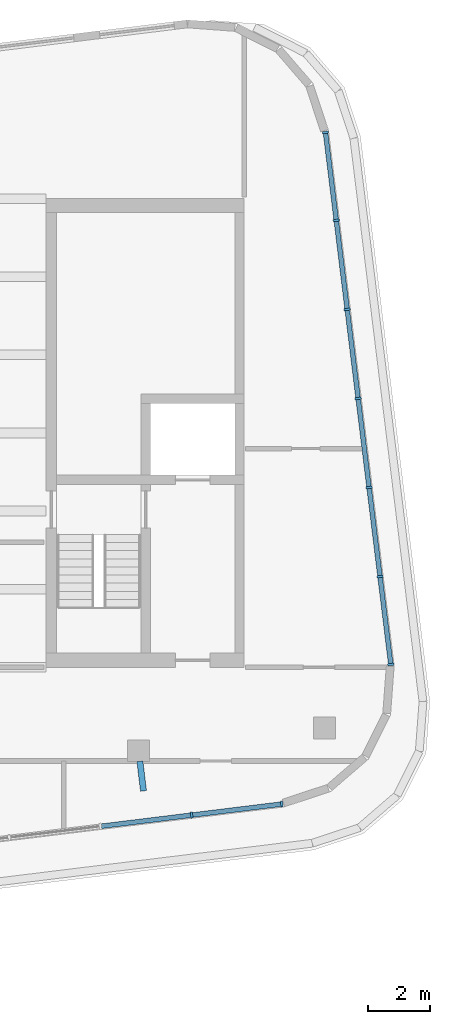
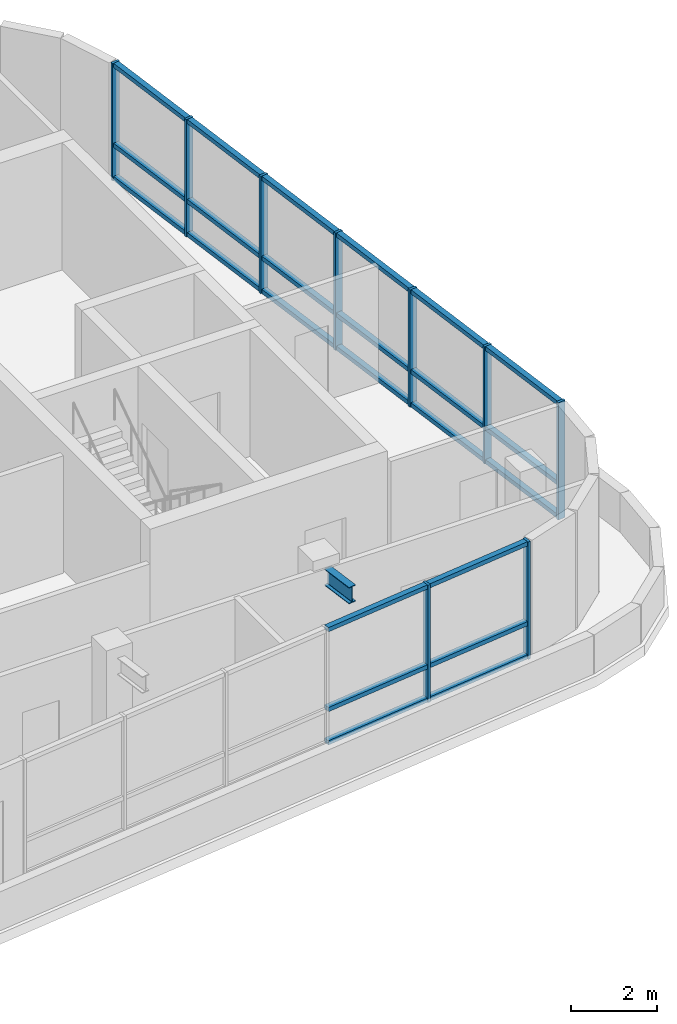
# One storey, part 3 of 8: 33 members, 1 beam, 2 elements without a shape of their own.
"""IFC4 building model written with IfcOpenShell, lengths in metres."""

import ifcopenshell
import ifcopenshell.guid

model = None  # the IFC model being written
_history = None  # IfcOwnerHistory: only IFC2X3 demands one
_inside = {}  # id of a spatial element -> (the spatial element, [elements in it])
_under = {}  # id of a project, library or spatial element -> (it, [spatial elements below it])
_declared = {}  # id of a project -> (the project, [libraries it declares])
_typed = {}  # id of a type object -> (the type object, [elements of that type])
_made_of = {}  # id of a material, layer set ... -> (it, [elements and type objects made of it])


def new_model(schema):
    """Start an empty IFC model of exactly this schema.

    Asked for "IFC4X3", IfcOpenShell would pick the latest addendum, in which some entities
    have other attributes; the version numbers below select the first issue.
    IFC2X3 requires an IfcOwnerHistory on every rooted entity: one is made here for all.
    """
    global model, _history
    if schema == "IFC4X3":
        model = ifcopenshell.file(schema_version=(4, 3, 0, 0))
    else:
        model = ifcopenshell.file(schema=schema)
    _inside.clear()
    _under.clear()
    _declared.clear()
    _typed.clear()
    _made_of.clear()
    _history = None
    if model.schema == "IFC2X3":
        org = make("IfcOrganization", Name="unknown")
        user = make(
            "IfcPersonAndOrganization",
            ThePerson=make("IfcPerson", FamilyName="unknown"),
            TheOrganization=org,
        )
        app = make(
            "IfcApplication",
            ApplicationDeveloper=org,
            Version="unknown",
            ApplicationFullName="unknown",
            ApplicationIdentifier="unknown",
        )
        _history = make(
            "IfcOwnerHistory",
            OwningUser=user,
            OwningApplication=app,
            ChangeAction="ADDED",
            CreationDate=0,
        )
    return model


def make(cls, **values):
    """One entity of the class cls with the attributes given. An attribute that is None is left unset."""
    return model.create_entity(
        cls, **{name: value for name, value in values.items() if value is not None}
    )


def rooted(cls, **values):
    """An entity with a GlobalId (a new one), such as an element, a storey or a relation."""
    return make(cls, GlobalId=ifcopenshell.guid.new(), OwnerHistory=_history, **values)


def si_unit(unit_type, name, prefix=None):
    """IfcSIUnit, for example si_unit("LENGTHUNIT", "METRE", prefix="MILLI")."""
    return make("IfcSIUnit", UnitType=unit_type, Prefix=prefix, Name=name)


def assignment(units):
    """IfcUnitAssignment: the units of a project."""
    return None if units is None else make("IfcUnitAssignment", Units=units)


def point(xyz):
    """IfcCartesianPoint."""
    return None if xyz is None else make("IfcCartesianPoint", Coordinates=xyz)


def direction(xyz):
    """IfcDirection."""
    return None if xyz is None else make("IfcDirection", DirectionRatios=xyz)


def frame(location, z_axis=None, x_axis=None):
    """IfcAxis2Placement3D, a coordinate frame: its origin and axes. An axis left out is left unset."""
    return make(
        "IfcAxis2Placement3D",
        Location=point(location),
        Axis=direction(z_axis),
        RefDirection=direction(x_axis),
    )


def frame_2d(location, x_axis=None):
    """IfcAxis2Placement2D, a coordinate frame in the plane: its origin and x axis."""
    return make(
        "IfcAxis2Placement2D", Location=point(location), RefDirection=direction(x_axis)
    )


def origin():
    """The frame at (0, 0, 0) with its axes left unset."""
    return frame((0.0, 0.0, 0.0))


def origin_2d():
    """The frame at (0, 0) in the plane with its x axis left unset."""
    return frame_2d((0.0, 0.0))


def place(relative_to, where):
    """IfcLocalPlacement: puts the frame where relative to a parent placement (None: the world)."""
    return make(
        "IfcLocalPlacement", PlacementRelTo=relative_to, RelativePlacement=where
    )


def context(
    kind, dimensions, precision=None, world=None, true_north=None, identifier=None
):
    """IfcGeometricRepresentationContext, for example the 3D "Model" context."""
    return make(
        "IfcGeometricRepresentationContext",
        ContextIdentifier=identifier,
        ContextType=kind,
        CoordinateSpaceDimension=dimensions,
        Precision=precision,
        WorldCoordinateSystem=world,
        TrueNorth=true_north,
    )


def subcontext(parent, identifier, kind, view, scale=None):
    """IfcGeometricRepresentationSubContext, for example "Body" below "Model"."""
    return make(
        "IfcGeometricRepresentationSubContext",
        ContextIdentifier=identifier,
        ContextType=kind,
        ParentContext=parent,
        TargetScale=scale,
        TargetView=view,
    )


def project(units=None, contexts=None):
    """IfcProject with its units and contexts."""
    return rooted(
        "IfcProject",
        Name="project",
        RepresentationContexts=contexts,
        UnitsInContext=assignment(units),
    )


def spatial(cls, under=None, at=None, **own):
    """A site, building, storey or space (cls), placed at a placement, below another one or the project."""
    s = rooted(cls, ObjectPlacement=at, **own)
    if under is not None:
        _under.setdefault(under.id(), (under, []))[1].append(s)
    return s


def profile(cls, at=None, kind="AREA", **sizes):
    """A parametric profile (cls). Its sizes go by their IFC names, for example OverallWidth=200.0."""
    return make(cls, ProfileType=kind, Position=at, **sizes)


def rectangle(**sizes):
    """IfcRectangleProfileDef."""
    return profile("IfcRectangleProfileDef", **sizes)


def i_section(**sizes):
    """IfcIShapeProfileDef."""
    return profile("IfcIShapeProfileDef", **sizes)


def extrude(swept, where, along, depth):
    """IfcExtrudedAreaSolid: the profile swept, set in the frame where, extruded along a direction by depth."""
    return make(
        "IfcExtrudedAreaSolid",
        SweptArea=swept,
        Position=where,
        ExtrudedDirection=direction(along),
        Depth=depth,
    )


def shape(context_of_items, identifier, shape_type, items):
    """IfcShapeRepresentation: the items that make up one representation, for example the "Body"."""
    return make(
        "IfcShapeRepresentation",
        ContextOfItems=context_of_items,
        RepresentationIdentifier=identifier,
        RepresentationType=shape_type,
        Items=items,
    )


def material(Name=None, Category=None):
    """IfcMaterial."""
    return make("IfcMaterial", Name=Name, Category=Category)


def layer(
    of_material, thickness, ventilated=None, Name=None, Category=None, Priority=None
):
    """IfcMaterialLayer: one layer of a wall or slab, of a material (None: an air gap)."""
    return make(
        "IfcMaterialLayer",
        Material=of_material,
        LayerThickness=thickness,
        IsVentilated=ventilated,
        Name=Name,
        Category=Category,
        Priority=Priority,
    )


def layer_set(layers, Name=None):
    """IfcMaterialLayerSet."""
    return make("IfcMaterialLayerSet", MaterialLayers=layers, LayerSetName=Name)


def material_profile(
    of_material, cross_section, Name=None, Category=None, Priority=None
):
    """IfcMaterialProfile: a cross section and its material."""
    return make(
        "IfcMaterialProfile",
        Name=Name,
        Material=of_material,
        Profile=cross_section,
        Priority=Priority,
        Category=Category,
    )


def profile_set(profiles, Name=None, composite=None):
    """IfcMaterialProfileSet."""
    return make(
        "IfcMaterialProfileSet",
        Name=Name,
        MaterialProfiles=profiles,
        CompositeProfile=composite,
    )


def made_of(thing, what):
    """Note that an element or type object is made of a material, layer set ...; save() writes the relation."""
    if what is not None:
        _made_of.setdefault(what.id(), (what, []))[1].append(thing)
    return thing


def type_object(cls, material=None, **own):
    """A type object (cls), such as IfcWallType, which elements share."""
    return made_of(rooted(cls, **own), material)


def element(
    cls,
    number,
    at=None,
    inside=None,
    cuts=None,
    type_object=None,
    material=None,
    context=None,
    identifier="Body",
    shape_type=None,
    held_by="IfcProductDefinitionShape",
    body=None,
    shapes=None,
    **own,
):
    """One element of the class cls, such as IfcWall. Its Tag is "e" and its number.

    at: its placement. inside: the storey or other place that contains it. cuts: it is an
    opening in that element (IfcRelVoidsElement). A single representation is given by context,
    identifier, shape_type and body (its items); several are given by shapes. held_by: the class
    of the entity that holds the representations. save() writes the other relations.
    """
    e = rooted(cls, Tag="e%d" % number, ObjectPlacement=at, **own)
    if body is not None:
        shapes = [shape(context, identifier, shape_type, body)]
    if shapes is not None:
        e.Representation = make(held_by, Representations=shapes)
    if inside is not None:
        _inside.setdefault(inside.id(), (inside, []))[1].append(e)
    if cuts is not None:
        rooted(
            "IfcRelVoidsElement", RelatingBuildingElement=cuts, RelatedOpeningElement=e
        )
    if type_object is not None:
        _typed.setdefault(type_object.id(), (type_object, []))[1].append(e)
    return made_of(e, material)


def aggregate(whole, parts):
    """IfcRelAggregates: a whole, such as a stair, and the parts it consists of."""
    return rooted("IfcRelAggregates", RelatingObject=whole, RelatedObjects=parts)


def save(model, path):
    """Write the relations noted so far, then the file.

    IfcRelAggregates (storeys below a building ...), IfcRelContainedInSpatialStructure (elements
    in a storey), IfcRelDefinesByType, IfcRelAssociatesMaterial and IfcRelDeclares: one each for
    every whole, place, type object, material and project.
    """
    for whole, parts in _under.values():
        aggregate(whole, parts)
    for where, things in _inside.values():
        rooted(
            "IfcRelContainedInSpatialStructure",
            RelatedElements=things,
            RelatingStructure=where,
        )
    for kind, things in _typed.values():
        rooted("IfcRelDefinesByType", RelatedObjects=things, RelatingType=kind)
    for what, things in _made_of.values():
        rooted("IfcRelAssociatesMaterial", RelatedObjects=things, RelatingMaterial=what)
    for by, libraries in _declared.values():
        rooted("IfcRelDeclares", RelatingContext=by, RelatedDefinitions=libraries)
    model.write(path)


model = new_model("IFC4")

# Units and contexts
model_context = context("Model", 3, precision=1e-05, world=origin(), true_north=direction((0.0, 1.0)))
body_context = subcontext(model_context, "Body", "Model", "MODEL_VIEW")
ifc_project = project(units=[si_unit("LENGTHUNIT", "METRE"), si_unit("AREAUNIT", "SQUARE_METRE"), si_unit("VOLUMEUNIT", "CUBIC_METRE"), si_unit("PLANEANGLEUNIT", "RADIAN"), si_unit("MASSUNIT", "GRAM", prefix="KILO")], contexts=[model_context])

# Site, building, storey
site_placement = place(None, origin())
site = spatial("IfcSite", under=ifc_project, at=site_placement, CompositionType="ELEMENT")
building_placement = place(site_placement, origin())
building = spatial("IfcBuilding", under=site, at=building_placement, Name="Torana Hotel and Residences", CompositionType="ELEMENT")
storey_placement = place(building_placement, frame((0.0, 0.0, 350.199951171875)))
storey = spatial("IfcBuildingStorey", under=building, at=storey_placement, Name="C2", CompositionType="ELEMENT", Elevation=350.199951171875)

# Beam
ifc_material_1 = material(Name="Steel S355", Category="steel")
ifc_material_profile_1 = material_profile(ifc_material_1, i_section(OverallWidth=0.19287109375, OverallDepth=0.46728515625, WebThickness=0.011474609375, FlangeThickness=0.01953125, FilletRadius=0.01025390625, at=origin_2d()), Name="457x191x98 UB")
ifc_profile_set_1 = profile_set([ifc_material_profile_1], Name="Steel S355")
beam_type = type_object("IfcBeamType", Name="BALCONY CANTILEVER BEAM 457x191x98 UB", PredefinedType="BEAM", material=ifc_profile_set_1)
beam_placement = place(storey_placement, frame((13.0126953125, -18.01318359375, 3.06640625), z_axis=(0.121984313322, -0.992532028351, 0.0), x_axis=(0.992532028351, 0.121984313322, 0.0)))
element("IfcBeam", 1, at=beam_placement, inside=storey, type_object=beam_type, Name="Balcony cantilever beam", PredefinedType="BEAM", context=body_context, shape_type="SweptSolid", body=[
    extrude(i_section(OverallWidth=0.19287109375, OverallDepth=0.46728515625, WebThickness=0.011474609375, FlangeThickness=0.01953125, FilletRadius=0.01025390625, at=origin_2d()), origin(), (0.0, 0.0, 1.0), 0.95263671875),
])

# Curtain wall, members
ifc_material_2 = material(Name="Dark anodised aluminium", Category="aluminium")
ifc_layer = layer(ifc_material_2, 0.199951171875)
ifc_layer_set = layer_set([ifc_layer], Name="CW4 CROWN TERRACE GLAZING CURTAIN WALL")
curtain_wall_type = type_object("IfcCurtainWallType", Name="CW4 CROWN TERRACE GLAZING CURTAIN WALL", PredefinedType="NOTDEFINED", material=ifc_layer_set)
curtain_wall_1_placement = place(storey_placement, origin())
curtain_wall_1 = element("IfcCurtainWall", 2, at=curtain_wall_1_placement, inside=storey, type_object=curtain_wall_type, Name="Curtain wall CW4 C2 e0.14-2", PredefinedType="NOTDEFINED")
ifc_material_3 = material(Name="Dark anodised aluminium", Category="aluminium")
ifc_material_profile_2 = material_profile(ifc_material_3, rectangle(XDim=0.199951171875, YDim=0.070068359375, at=origin_2d()), Name="CW4 MULLION 70x200")
ifc_profile_set_2 = profile_set([ifc_material_profile_2], Name="Dark anodised aluminium")
member_type_1 = type_object("IfcMemberType", Name="CW4 MULLION 70x200", PredefinedType="MULLION", material=ifc_profile_set_2)
member_1_placement = place(storey_placement, frame((14.670166015625, -19.7333984375, 0.0), z_axis=(0.0, 0.0, 1.0), x_axis=(-0.12187002807, 0.992546067575, 0.0)))
member_1 = element("IfcMember", 3, at=member_1_placement, type_object=member_type_1, Name="CW4 mullion 5", PredefinedType="MULLION", context=body_context, shape_type="SweptSolid", body=[
    extrude(rectangle(XDim=0.199951171875, YDim=0.070068359375, at=origin_2d()), origin(), (0.0, 0.0, 1.0), 3.320068359375),
])
member_2_placement = place(storey_placement, frame((17.554443359375, -19.379150390625, 0.0), z_axis=(0.0, 0.0, 1.0), x_axis=(-0.12187002807, 0.992546067575, 0.0)))
member_2 = element("IfcMember", 4, at=member_2_placement, type_object=member_type_1, Name="CW4 mullion 6", PredefinedType="MULLION", context=body_context, shape_type="SweptSolid", body=[
    extrude(rectangle(XDim=0.199951171875, YDim=0.070068359375, at=origin_2d()), origin(), (0.0, 0.0, 1.0), 3.320068359375),
])

curtain_wall_2_placement = place(storey_placement, origin())
curtain_wall_2 = element("IfcCurtainWall", 5, at=curtain_wall_2_placement, inside=storey, type_object=curtain_wall_type, Name="Curtain wall CW4 C2 e0.19", PredefinedType="NOTDEFINED")
member_3_placement = place(storey_placement, frame((21.04541015625, -14.910888671875, 0.0), z_axis=(0.0, 0.0, 1.0), x_axis=(-0.992546226576, -0.121868733109, 0.0)))
member_3 = element("IfcMember", 6, at=member_3_placement, type_object=member_type_1, Name="CW4 mullion 1", PredefinedType="MULLION", context=body_context, shape_type="SweptSolid", body=[
    extrude(rectangle(XDim=0.199951171875, YDim=0.070068359375, at=origin_2d()), origin(), (0.0, 0.0, 1.0), 3.320068359375),
])
member_4_placement = place(storey_placement, frame((20.69970703125, -12.09521484375, 0.0), z_axis=(0.0, 0.0, 1.0), x_axis=(-0.992546226576, -0.121868733109, 0.0)))
member_4 = element("IfcMember", 7, at=member_4_placement, type_object=member_type_1, Name="CW4 mullion 2", PredefinedType="MULLION", context=body_context, shape_type="SweptSolid", body=[
    extrude(rectangle(XDim=0.199951171875, YDim=0.070068359375, at=origin_2d()), origin(), (0.0, 0.0, 1.0), 3.320068359375),
])
member_5_placement = place(storey_placement, frame((20.349853515625, -9.244873046875, 0.0), z_axis=(0.0, 0.0, 1.0), x_axis=(-0.992546226576, -0.121868733109, 0.0)))
member_5 = element("IfcMember", 8, at=member_5_placement, type_object=member_type_1, Name="CW4 mullion 3", PredefinedType="MULLION", context=body_context, shape_type="SweptSolid", body=[
    extrude(rectangle(XDim=0.199951171875, YDim=0.070068359375, at=origin_2d()), origin(), (0.0, 0.0, 1.0), 3.320068359375),
])
member_6_placement = place(storey_placement, frame((19.999755859375, -6.394287109375, 0.0), z_axis=(0.0, 0.0, 1.0), x_axis=(-0.992546226576, -0.121868733109, 0.0)))
member_6 = element("IfcMember", 9, at=member_6_placement, type_object=member_type_1, Name="CW4 mullion 4", PredefinedType="MULLION", context=body_context, shape_type="SweptSolid", body=[
    extrude(rectangle(XDim=0.199951171875, YDim=0.070068359375, at=origin_2d()), origin(), (0.0, 0.0, 1.0), 3.320068359375),
])
member_7_placement = place(storey_placement, frame((19.649658203125, -3.5439453125, 0.0), z_axis=(0.0, 0.0, 1.0), x_axis=(-0.992546226576, -0.121868733109, 0.0)))
member_7 = element("IfcMember", 10, at=member_7_placement, type_object=member_type_1, Name="CW4 mullion 5", PredefinedType="MULLION", context=body_context, shape_type="SweptSolid", body=[
    extrude(rectangle(XDim=0.199951171875, YDim=0.070068359375, at=origin_2d()), origin(), (0.0, 0.0, 1.0), 3.320068359375),
])
member_8_placement = place(storey_placement, frame((19.2998046875, -0.693603515625, 0.0), z_axis=(0.0, 0.0, 1.0), x_axis=(-0.992546226576, -0.121868733109, 0.0)))
member_8 = element("IfcMember", 11, at=member_8_placement, type_object=member_type_1, Name="CW4 mullion 6", PredefinedType="MULLION", context=body_context, shape_type="SweptSolid", body=[
    extrude(rectangle(XDim=0.199951171875, YDim=0.070068359375, at=origin_2d()), origin(), (0.0, 0.0, 1.0), 3.320068359375),
])
member_9_placement = place(storey_placement, frame((18.9541015625, 2.1220703125, 0.0), z_axis=(0.0, 0.0, 1.0), x_axis=(-0.992546226576, -0.121868733109, 0.0)))
member_9 = element("IfcMember", 12, at=member_9_placement, type_object=member_type_1, Name="CW4 mullion 7", PredefinedType="MULLION", context=body_context, shape_type="SweptSolid", body=[
    extrude(rectangle(XDim=0.199951171875, YDim=0.070068359375, at=origin_2d()), origin(), (0.0, 0.0, 1.0), 3.320068359375),
])

# Member
ifc_material_4 = material(Name="Dark anodised aluminium", Category="aluminium")
ifc_material_profile_3 = material_profile(ifc_material_4, rectangle(XDim=0.14990234375, YDim=0.1201171875, at=origin_2d()), Name="CW4 TRANSOM 150x120")
ifc_profile_set_3 = profile_set([ifc_material_profile_3], Name="Dark anodised aluminium")
member_type_2 = type_object("IfcMemberType", Name="CW4 TRANSOM 150x120", PredefinedType="USERDEFINED", material=ifc_profile_set_3)
member_10_placement = place(storey_placement, frame((11.785888671875, -20.08740234375, 0.06005859375), z_axis=(0.992547605974, 0.121857498232, 0.0), x_axis=(-0.121857498232, 0.992547605974, 0.0)))
member_10 = element("IfcMember", 13, at=member_10_placement, type_object=member_type_2, Name="CW4 transom 4.1", ObjectType="TRANSOM", PredefinedType="USERDEFINED", context=body_context, shape_type="SweptSolid", body=[
    extrude(rectangle(XDim=0.14990234375, YDim=0.1201171875, at=origin_2d()), origin(), (0.0, 0.0, 1.0), 2.87109375),
])

member_11_placement = place(storey_placement, frame((11.785888671875, -20.08740234375, 1.0), z_axis=(0.992547605974, 0.121857498232, 0.0), x_axis=(-0.121857498232, 0.992547605974, 0.0)))
member_11 = element("IfcMember", 14, at=member_11_placement, type_object=member_type_2, Name="CW4 transom 4.2", ObjectType="TRANSOM", PredefinedType="USERDEFINED", context=body_context, shape_type="SweptSolid", body=[
    extrude(rectangle(XDim=0.14990234375, YDim=0.1201171875, at=origin_2d()), origin(), (0.0, 0.0, 1.0), 2.87109375),
])

member_12_placement = place(storey_placement, frame((11.785888671875, -20.08740234375, 3.260009765625), z_axis=(0.992547605974, 0.121857498232, 0.0), x_axis=(-0.121857498232, 0.992547605974, 0.0)))
member_12 = element("IfcMember", 15, at=member_12_placement, type_object=member_type_2, Name="CW4 transom 4.3", ObjectType="TRANSOM", PredefinedType="USERDEFINED", context=body_context, shape_type="SweptSolid", body=[
    extrude(rectangle(XDim=0.14990234375, YDim=0.1201171875, at=origin_2d()), origin(), (0.0, 0.0, 1.0), 2.87109375),
])

member_13_placement = place(storey_placement, frame((14.704833984375, -19.72900390625, 0.06005859375), z_axis=(0.992553501178, 0.121809471307, 0.0), x_axis=(-0.121809471307, 0.992553501178, 0.0)))
member_13 = element("IfcMember", 16, at=member_13_placement, type_object=member_type_2, Name="CW4 transom 5.1", ObjectType="TRANSOM", PredefinedType="USERDEFINED", context=body_context, shape_type="SweptSolid", body=[
    extrude(rectangle(XDim=0.14990234375, YDim=0.1201171875, at=origin_2d()), origin(), (0.0, 0.0, 1.0), 2.836181640625),
])

member_14_placement = place(storey_placement, frame((14.704833984375, -19.72900390625, 1.0), z_axis=(0.992553501178, 0.121809471307, 0.0), x_axis=(-0.121809471307, 0.992553501178, 0.0)))
member_14 = element("IfcMember", 17, at=member_14_placement, type_object=member_type_2, Name="CW4 transom 5.2", ObjectType="TRANSOM", PredefinedType="USERDEFINED", context=body_context, shape_type="SweptSolid", body=[
    extrude(rectangle(XDim=0.14990234375, YDim=0.1201171875, at=origin_2d()), origin(), (0.0, 0.0, 1.0), 2.836181640625),
])

member_15_placement = place(storey_placement, frame((14.704833984375, -19.72900390625, 3.260009765625), z_axis=(0.992553501178, 0.121809471307, 0.0), x_axis=(-0.121809471307, 0.992553501178, 0.0)))
member_15 = element("IfcMember", 18, at=member_15_placement, type_object=member_type_2, Name="CW4 transom 5.3", ObjectType="TRANSOM", PredefinedType="USERDEFINED", context=body_context, shape_type="SweptSolid", body=[
    extrude(rectangle(XDim=0.14990234375, YDim=0.1201171875, at=origin_2d()), origin(), (0.0, 0.0, 1.0), 2.836181640625),
])

aggregate(curtain_wall_1, [member_1, member_2, member_10, member_11, member_12, member_13, member_14, member_15])

member_16_placement = place(storey_placement, frame((21.041259765625, -14.876220703125, 0.06005859375), z_axis=(-0.121851652149, 0.992548323694, 0.0), x_axis=(-0.992548323694, -0.121851652149, 0.0)))
member_16 = element("IfcMember", 19, at=member_16_placement, type_object=member_type_2, Name="CW4 transom 1.1", ObjectType="TRANSOM", PredefinedType="USERDEFINED", context=body_context, shape_type="SweptSolid", body=[
    extrude(rectangle(XDim=0.14990234375, YDim=0.1201171875, at=origin_2d()), origin(), (0.0, 0.0, 1.0), 2.766845703125),
])

member_17_placement = place(storey_placement, frame((21.041259765625, -14.876220703125, 1.0), z_axis=(-0.121851652149, 0.992548323694, 0.0), x_axis=(-0.992548323694, -0.121851652149, 0.0)))
member_17 = element("IfcMember", 20, at=member_17_placement, type_object=member_type_2, Name="CW4 transom 1.2", ObjectType="TRANSOM", PredefinedType="USERDEFINED", context=body_context, shape_type="SweptSolid", body=[
    extrude(rectangle(XDim=0.14990234375, YDim=0.1201171875, at=origin_2d()), origin(), (0.0, 0.0, 1.0), 2.766845703125),
])

member_18_placement = place(storey_placement, frame((21.041259765625, -14.876220703125, 3.260009765625), z_axis=(-0.121851652149, 0.992548323694, 0.0), x_axis=(-0.992548323694, -0.121851652149, 0.0)))
member_18 = element("IfcMember", 21, at=member_18_placement, type_object=member_type_2, Name="CW4 transom 1.3", ObjectType="TRANSOM", PredefinedType="USERDEFINED", context=body_context, shape_type="SweptSolid", body=[
    extrude(rectangle(XDim=0.14990234375, YDim=0.1201171875, at=origin_2d()), origin(), (0.0, 0.0, 1.0), 2.766845703125),
])

member_19_placement = place(storey_placement, frame((20.695556640625, -12.060546875, 0.06005859375), z_axis=(-0.121900337238, 0.992542345586, 0.0), x_axis=(-0.992542345586, -0.121900337238, 0.0)))
member_19 = element("IfcMember", 22, at=member_19_placement, type_object=member_type_2, Name="CW4 transom 2.1", ObjectType="TRANSOM", PredefinedType="USERDEFINED", context=body_context, shape_type="SweptSolid", body=[
    extrude(rectangle(XDim=0.14990234375, YDim=0.1201171875, at=origin_2d()), origin(), (0.0, 0.0, 1.0), 2.802001953125),
])

member_20_placement = place(storey_placement, frame((20.695556640625, -12.060546875, 1.0), z_axis=(-0.121900337238, 0.992542345586, 0.0), x_axis=(-0.992542345586, -0.121900337238, 0.0)))
member_20 = element("IfcMember", 23, at=member_20_placement, type_object=member_type_2, Name="CW4 transom 2.2", ObjectType="TRANSOM", PredefinedType="USERDEFINED", context=body_context, shape_type="SweptSolid", body=[
    extrude(rectangle(XDim=0.14990234375, YDim=0.1201171875, at=origin_2d()), origin(), (0.0, 0.0, 1.0), 2.802001953125),
])

member_21_placement = place(storey_placement, frame((20.695556640625, -12.060546875, 3.260009765625), z_axis=(-0.121900337238, 0.992542345586, 0.0), x_axis=(-0.992542345586, -0.121900337238, 0.0)))
member_21 = element("IfcMember", 24, at=member_21_placement, type_object=member_type_2, Name="CW4 transom 2.3", ObjectType="TRANSOM", PredefinedType="USERDEFINED", context=body_context, shape_type="SweptSolid", body=[
    extrude(rectangle(XDim=0.14990234375, YDim=0.1201171875, at=origin_2d()), origin(), (0.0, 0.0, 1.0), 2.802001953125),
])

member_22_placement = place(storey_placement, frame((20.345458984375, -9.2099609375, 0.06005859375), z_axis=(-0.121910880583, 0.992541050635, 0.0), x_axis=(-0.992541050635, -0.121910880583, 0.0)))
member_22 = element("IfcMember", 25, at=member_22_placement, type_object=member_type_2, Name="CW4 transom 3.1", ObjectType="TRANSOM", PredefinedType="USERDEFINED", context=body_context, shape_type="SweptSolid", body=[
    extrude(rectangle(XDim=0.14990234375, YDim=0.1201171875, at=origin_2d()), origin(), (0.0, 0.0, 1.0), 2.8017578125),
])

member_23_placement = place(storey_placement, frame((20.345458984375, -9.2099609375, 1.0), z_axis=(-0.121910880583, 0.992541050635, 0.0), x_axis=(-0.992541050635, -0.121910880583, 0.0)))
member_23 = element("IfcMember", 26, at=member_23_placement, type_object=member_type_2, Name="CW4 transom 3.2", ObjectType="TRANSOM", PredefinedType="USERDEFINED", context=body_context, shape_type="SweptSolid", body=[
    extrude(rectangle(XDim=0.14990234375, YDim=0.1201171875, at=origin_2d()), origin(), (0.0, 0.0, 1.0), 2.8017578125),
])

member_24_placement = place(storey_placement, frame((20.345458984375, -9.2099609375, 3.260009765625), z_axis=(-0.121910880583, 0.992541050635, 0.0), x_axis=(-0.992541050635, -0.121910880583, 0.0)))
member_24 = element("IfcMember", 27, at=member_24_placement, type_object=member_type_2, Name="CW4 transom 3.3", ObjectType="TRANSOM", PredefinedType="USERDEFINED", context=body_context, shape_type="SweptSolid", body=[
    extrude(rectangle(XDim=0.14990234375, YDim=0.1201171875, at=origin_2d()), origin(), (0.0, 0.0, 1.0), 2.8017578125),
])

member_25_placement = place(storey_placement, frame((19.99560546875, -6.359619140625, 0.06005859375), z_axis=(-0.121910880583, 0.992541050635, 0.0), x_axis=(-0.992541050635, -0.121910880583, 0.0)))
member_25 = element("IfcMember", 28, at=member_25_placement, type_object=member_type_2, Name="CW4 transom 4.1", ObjectType="TRANSOM", PredefinedType="USERDEFINED", context=body_context, shape_type="SweptSolid", body=[
    extrude(rectangle(XDim=0.14990234375, YDim=0.1201171875, at=origin_2d()), origin(), (0.0, 0.0, 1.0), 2.8017578125),
])

member_26_placement = place(storey_placement, frame((19.99560546875, -6.359619140625, 1.0), z_axis=(-0.121910880583, 0.992541050635, 0.0), x_axis=(-0.992541050635, -0.121910880583, 0.0)))
member_26 = element("IfcMember", 29, at=member_26_placement, type_object=member_type_2, Name="CW4 transom 4.2", ObjectType="TRANSOM", PredefinedType="USERDEFINED", context=body_context, shape_type="SweptSolid", body=[
    extrude(rectangle(XDim=0.14990234375, YDim=0.1201171875, at=origin_2d()), origin(), (0.0, 0.0, 1.0), 2.8017578125),
])

member_27_placement = place(storey_placement, frame((19.99560546875, -6.359619140625, 3.260009765625), z_axis=(-0.121910880583, 0.992541050635, 0.0), x_axis=(-0.992541050635, -0.121910880583, 0.0)))
member_27 = element("IfcMember", 30, at=member_27_placement, type_object=member_type_2, Name="CW4 transom 4.3", ObjectType="TRANSOM", PredefinedType="USERDEFINED", context=body_context, shape_type="SweptSolid", body=[
    extrude(rectangle(XDim=0.14990234375, YDim=0.1201171875, at=origin_2d()), origin(), (0.0, 0.0, 1.0), 2.8017578125),
])

member_28_placement = place(storey_placement, frame((19.6455078125, -3.50927734375, 0.06005859375), z_axis=(-0.121900337238, 0.992542345586, 0.0), x_axis=(-0.992542345586, -0.121900337238, 0.0)))
member_28 = element("IfcMember", 31, at=member_28_placement, type_object=member_type_2, Name="CW4 transom 5.1", ObjectType="TRANSOM", PredefinedType="USERDEFINED", context=body_context, shape_type="SweptSolid", body=[
    extrude(rectangle(XDim=0.14990234375, YDim=0.1201171875, at=origin_2d()), origin(), (0.0, 0.0, 1.0), 2.802001953125),
])

member_29_placement = place(storey_placement, frame((19.6455078125, -3.50927734375, 1.0), z_axis=(-0.121900337238, 0.992542345586, 0.0), x_axis=(-0.992542345586, -0.121900337238, 0.0)))
member_29 = element("IfcMember", 32, at=member_29_placement, type_object=member_type_2, Name="CW4 transom 5.2", ObjectType="TRANSOM", PredefinedType="USERDEFINED", context=body_context, shape_type="SweptSolid", body=[
    extrude(rectangle(XDim=0.14990234375, YDim=0.1201171875, at=origin_2d()), origin(), (0.0, 0.0, 1.0), 2.802001953125),
])

member_30_placement = place(storey_placement, frame((19.6455078125, -3.50927734375, 3.260009765625), z_axis=(-0.121900337238, 0.992542345586, 0.0), x_axis=(-0.992542345586, -0.121900337238, 0.0)))
member_30 = element("IfcMember", 33, at=member_30_placement, type_object=member_type_2, Name="CW4 transom 5.3", ObjectType="TRANSOM", PredefinedType="USERDEFINED", context=body_context, shape_type="SweptSolid", body=[
    extrude(rectangle(XDim=0.14990234375, YDim=0.1201171875, at=origin_2d()), origin(), (0.0, 0.0, 1.0), 2.802001953125),
])

member_31_placement = place(storey_placement, frame((19.29541015625, -0.658935546875, 0.06005859375), z_axis=(-0.121851652149, 0.992548323694, 0.0), x_axis=(-0.992548323694, -0.121851652149, 0.0)))
member_31 = element("IfcMember", 34, at=member_31_placement, type_object=member_type_2, Name="CW4 transom 6.1", ObjectType="TRANSOM", PredefinedType="USERDEFINED", context=body_context, shape_type="SweptSolid", body=[
    extrude(rectangle(XDim=0.14990234375, YDim=0.1201171875, at=origin_2d()), origin(), (0.0, 0.0, 1.0), 2.766845703125),
])

member_32_placement = place(storey_placement, frame((19.29541015625, -0.658935546875, 1.0), z_axis=(-0.121851652149, 0.992548323694, 0.0), x_axis=(-0.992548323694, -0.121851652149, 0.0)))
member_32 = element("IfcMember", 35, at=member_32_placement, type_object=member_type_2, Name="CW4 transom 6.2", ObjectType="TRANSOM", PredefinedType="USERDEFINED", context=body_context, shape_type="SweptSolid", body=[
    extrude(rectangle(XDim=0.14990234375, YDim=0.1201171875, at=origin_2d()), origin(), (0.0, 0.0, 1.0), 2.766845703125),
])

member_33_placement = place(storey_placement, frame((19.29541015625, -0.658935546875, 3.260009765625), z_axis=(-0.121851652149, 0.992548323694, 0.0), x_axis=(-0.992548323694, -0.121851652149, 0.0)))
member_33 = element("IfcMember", 36, at=member_33_placement, type_object=member_type_2, Name="CW4 transom 6.3", ObjectType="TRANSOM", PredefinedType="USERDEFINED", context=body_context, shape_type="SweptSolid", body=[
    extrude(rectangle(XDim=0.14990234375, YDim=0.1201171875, at=origin_2d()), origin(), (0.0, 0.0, 1.0), 2.766845703125),
])

aggregate(curtain_wall_2, [member_3, member_4, member_5, member_6, member_7, member_8, member_9, member_16, member_17, member_18, member_19, member_20, member_21, member_22, member_23, member_24, member_25, member_26, member_27, member_28, member_29, member_30, member_31, member_32, member_33])

save(model, "model.ifc")
